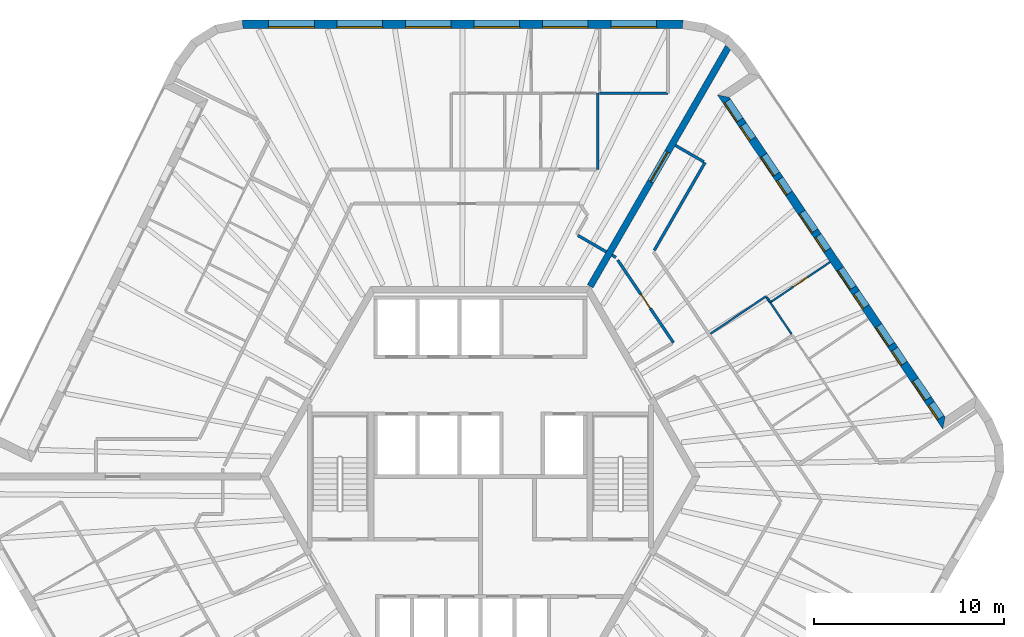
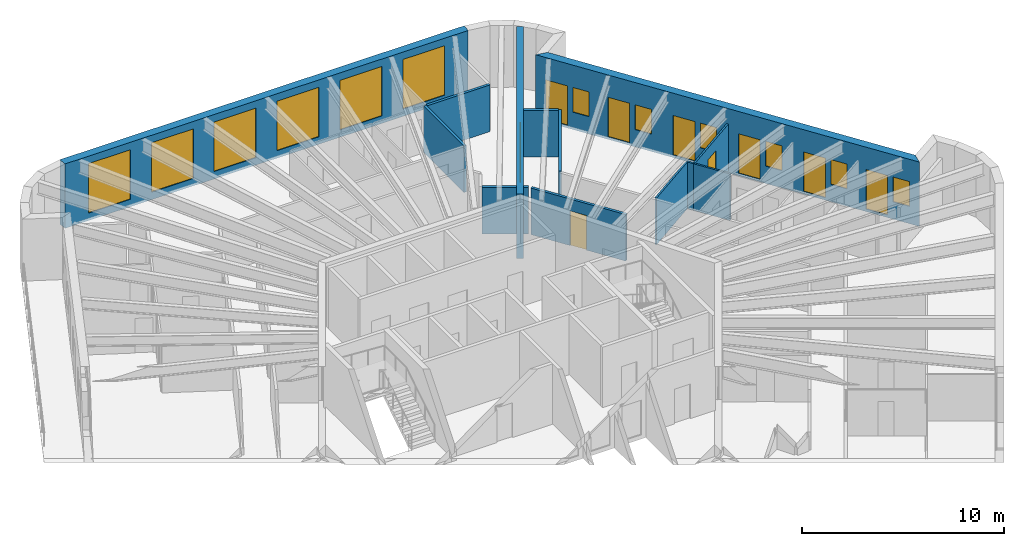
# One storey, part 9 of 11: 14 walls, 12 windows, 9 doors, 21 openings.
"""IFC4 building model written with IfcOpenShell, lengths in metres."""

from ifc_helpers import new_model, si_unit, direction, frame, frame_2d, origin, place, context, subcontext, project, spatial, polyline, rectangle, outline, extrude, material, layer, layer_set, type_object, element, fill, save


model = new_model("IFC4")

# Units and contexts
model_context = context("Model", 3, precision=1e-05, world=origin(), true_north=direction((0.0, 1.0)))
body_context = subcontext(model_context, "Body", "Model", "MODEL_VIEW")
ifc_project = project(units=[si_unit("LENGTHUNIT", "METRE"), si_unit("AREAUNIT", "SQUARE_METRE"), si_unit("VOLUMEUNIT", "CUBIC_METRE"), si_unit("PLANEANGLEUNIT", "RADIAN"), si_unit("MASSUNIT", "GRAM", prefix="KILO")], contexts=[model_context])

# Site, building, storey
site_placement = place(None, origin())
site = spatial("IfcSite", under=ifc_project, at=site_placement, CompositionType="ELEMENT")
building_placement = place(site_placement, origin())
building = spatial("IfcBuilding", under=site, at=building_placement, Name="Tarnside Tower", CompositionType="ELEMENT")
storey_placement = place(building_placement, frame((0.0, 0.0, 357.300048828125)))
storey = spatial("IfcBuildingStorey", under=building, at=storey_placement, Name="L86", CompositionType="ELEMENT", Elevation=357.300048828125)

# Walls
ifc_material_1 = material(Name="Gypsum board partition on steel studs", Category="steel")
ifc_layer_1 = layer(ifc_material_1, 0.10009765625)
ifc_layer_set_1 = layer_set([ifc_layer_1], Name="Bathroom wall 100")
wall_type_1 = type_object("IfcWallType", Name="Bathroom wall 100", PredefinedType="PARTITIONING", material=ifc_layer_set_1)
wall_1_placement = place(storey_placement, frame((12.09619140625, 7.50537109375, 0.0), z_axis=(0.0, 0.0, 1.0), x_axis=(0.829065408555, 0.559151632687, 0.0)))
element("IfcWall", 1, at=wall_1_placement, inside=storey, type_object=wall_type_1, Name="Bathroom wall 27120", PredefinedType="PARTITIONING", context=body_context, shape_type="SweptSolid", body=[
    extrude(rectangle(XDim=3.52490234375, YDim=0.10009765625, at=frame_2d((1.762451171875, 0.0))), origin(), (0.0, 0.0, 1.0), 2.820068359375),
])
wall_2_placement = place(storey_placement, frame((15.04638671875, 9.43505859375, 0.0), z_axis=(0.0, 0.0, 1.0), x_axis=(0.559141668278, -0.829072128826, 0.0)))
element("IfcWall", 2, at=wall_2_placement, inside=storey, type_object=wall_type_1, Name="Bathroom wall 27121", PredefinedType="PARTITIONING", context=body_context, shape_type="SweptSolid", body=[
    extrude(rectangle(XDim=0.341796875, YDim=0.10009765625, at=frame_2d((0.1708984375, 0.0))), origin(), (0.0, 0.0, 1.0), 2.820068359375),
])
wall_3_placement = place(storey_placement, frame((15.2353515625, 9.155029296875, 0.0), z_axis=(0.0, 0.0, 1.0), x_axis=(0.559199850123, -0.829032886937, 0.0)))
element("IfcWall", 3, at=wall_3_placement, inside=storey, type_object=wall_type_1, Name="Bathroom wall 27130", PredefinedType="PARTITIONING", context=body_context, shape_type="SweptSolid", body=[
    extrude(rectangle(XDim=2.01220703125, YDim=0.10009765625, at=frame_2d((1.006103515625, 0.0))), origin(), (0.0, 0.0, 1.0), 2.820068359375),
])

# Wall, opening, door
ifc_material_2 = material(Name="Concrete C50/60", Category="concrete")
ifc_layer_2 = layer(ifc_material_2, 0.35009765625)
ifc_layer_set_2 = layer_set([ifc_layer_2], Name="Core wall Z4 350 C50/60")
wall_type_2 = type_object("IfcWallType", Name="Core wall Z4 350 C50/60", PredefinedType="SHEAR", material=ifc_layer_set_2)
wall_4_placement = place(storey_placement, frame((5.7734375, 10.0, -0.150146484375), z_axis=(0.0, 0.0, 1.0), x_axis=(0.500007911273, 0.866020836161, 0.0)))
wall_4 = element("IfcWall", 4, at=wall_4_placement, inside=storey, type_object=wall_type_2, Name="L86 spine wall 1", PredefinedType="SHEAR", context=body_context, shape_type="SweptSolid", body=[
    extrude(rectangle(XDim=14.510498046875, YDim=0.35009765625, at=frame_2d((7.25537109375, 0.0))), origin(), (0.0, 0.0, 1.0), 3.900146484375),
])
opening_1_placement = place(wall_4_placement, frame((6.355224609375, 0.0, 0.14990234375)))
opening_1 = element("IfcOpeningElement", 5, at=opening_1_placement, cuts=wall_4, Name="Opening CD-SPN", PredefinedType="OPENING", context=body_context, shape_type="SweptSolid", body=[
    extrude(rectangle(XDim=1.800048828125, YDim=2.39990234375, at=frame_2d((0.89990234375, 1.199951171875))), frame((0.0, 0.18505859375, 0.0), z_axis=(0.0, -1.0, 0.0), x_axis=(1.0, 0.0, 0.0)), (0.0, 0.0, 1.0), 0.3701171875),
])
ifc_material_3 = material(Name="Steel fire door", Category="steel")
door_type_1 = type_object("IfcDoorType", Name="Spine passage double door FD60 1800x2400", OperationType="NOTDEFINED", PredefinedType="DOOR", material=ifc_material_3)
door_1_placement = place(opening_1_placement, origin())
door_1 = element("IfcDoor", 6, at=door_1_placement, inside=storey, type_object=door_type_1, Name="L86 spine passage door 1", OperationType="DOUBLE_DOOR_SINGLE_SWING", OverallHeight=2.39990234375, OverallWidth=1.800048828125, PredefinedType="DOOR", context=body_context, shape_type="SweptSolid", body=[
    extrude(rectangle(XDim=1.800048828125, YDim=2.39990234375, at=frame_2d((0.89990234375, 1.199951171875))), frame((0.0, 0.02490234375, 0.0), z_axis=(0.0, -1.0, 0.0), x_axis=(1.0, 0.0, 0.0)), (0.0, 0.0, 1.0), 0.050048828125),
])
fill(opening_1, door_1)

# Walls
ifc_layer_3 = layer(ifc_material_1, 0.14990234375)
ifc_layer_set_3 = layer_set([ifc_layer_3], Name="Corridor wall 150 EI 60")
wall_type_3 = type_object("IfcWallType", Name="Corridor wall 150 EI 60", PredefinedType="PARTITIONING", material=ifc_layer_set_3)
wall_5_placement = place(storey_placement, frame((6.174560546875, 20.14990234375, 0.0), z_axis=(0.0, 0.0, 1.0), x_axis=(0.0, -1.0, 0.0)))
element("IfcWall", 7, at=wall_5_placement, inside=storey, type_object=wall_type_3, Name="Corridor wall 27003", PredefinedType="PARTITIONING", context=body_context, shape_type="SweptSolid", body=[
    extrude(rectangle(XDim=4.0, YDim=0.14990234375, at=frame_2d((2.0, 0.0))), origin(), (0.0, 0.0, 1.0), 2.820068359375),
])
wall_6_placement = place(storey_placement, frame((9.8671875, 20.14990234375, 0.0), z_axis=(0.0, 0.0, 1.0), x_axis=(-1.0, 0.0, 0.0)))
element("IfcWall", 8, at=wall_6_placement, inside=storey, type_object=wall_type_3, Name="Corridor wall 27006", PredefinedType="PARTITIONING", context=body_context, shape_type="SweptSolid", body=[
    extrude(rectangle(XDim=3.598876953125, YDim=0.14990234375, at=frame_2d((1.79931640625, 0.0))), origin(), (0.0, 0.0, 1.0), 2.820068359375),
])
wall_7_placement = place(storey_placement, frame((5.124755859375, 12.676513671875, 0.0), z_axis=(0.0, 0.0, 1.0), x_axis=(0.866013532718, -0.500020560727, 0.0)))
element("IfcWall", 9, at=wall_7_placement, inside=storey, type_object=wall_type_3, Name="Corridor wall 27023", PredefinedType="PARTITIONING", context=body_context, shape_type="SweptSolid", body=[
    extrude(rectangle(XDim=1.72509765625, YDim=0.14990234375, at=frame_2d((0.862548828125, 0.0))), origin(), (0.0, 0.0, 1.0), 2.820068359375),
])
wall_8_placement = place(storey_placement, frame((9.14208984375, 11.884765625, 0.0), z_axis=(0.0, 0.0, 1.0), x_axis=(0.500004822225, 0.866022619654, 0.0)))
element("IfcWall", 10, at=wall_8_placement, inside=storey, type_object=wall_type_3, Name="Corridor wall 27053", PredefinedType="PARTITIONING", context=body_context, shape_type="SweptSolid", body=[
    extrude(rectangle(XDim=5.3388671875, YDim=0.14990234375, at=frame_2d((2.66943359375, 0.0))), origin(), (0.0, 0.0, 1.0), 2.820068359375),
])
wall_9_placement = place(storey_placement, frame((11.74658203125, 16.545654296875, 0.0), z_axis=(0.0, 0.0, 1.0), x_axis=(-0.866013532718, 0.500020560727, 0.0)))
element("IfcWall", 11, at=wall_9_placement, inside=storey, type_object=wall_type_3, Name="Corridor wall 27054", PredefinedType="PARTITIONING", context=body_context, shape_type="SweptSolid", body=[
    extrude(rectangle(XDim=1.72509765625, YDim=0.14990234375, at=frame_2d((0.862548828125, 0.0))), origin(), (0.0, 0.0, 1.0), 2.820068359375),
])
wall_10_placement = place(storey_placement, frame((6.921875, 11.638916015625, 0.0), z_axis=(0.0, 0.0, 1.0), x_axis=(0.866254745882, -0.499602557277, 0.0)))
element("IfcWall", 12, at=wall_10_placement, inside=storey, type_object=wall_type_3, Name="Corridor wall 27067", PredefinedType="PARTITIONING", context=body_context, shape_type="SweptSolid", body=[
    extrude(rectangle(XDim=0.235107421875, YDim=0.14990234375, at=frame_2d((0.11767578125, 0.0))), origin(), (0.0, 0.0, 1.0), 2.820068359375),
])

# Wall, opening, door
wall_11_placement = place(storey_placement, frame((7.22119140625, 11.379638671875, 0.0), z_axis=(0.0, 0.0, 1.0), x_axis=(0.559200548931, -0.829032415576, 0.0)))
wall_11 = element("IfcWall", 13, at=wall_11_placement, inside=storey, type_object=wall_type_3, Name="Corridor wall 27068", PredefinedType="PARTITIONING", context=body_context, shape_type="SweptSolid", body=[
    extrude(rectangle(XDim=5.236083984375, YDim=0.14990234375, at=frame_2d((2.6181640625, 0.0))), origin(), (0.0, 0.0, 1.0), 2.820068359375),
])
opening_2_placement = place(wall_11_placement, frame((2.16796875, 0.0, 0.0)))
opening_2 = element("IfcOpeningElement", 14, at=opening_2_placement, cuts=wall_11, Name="Opening D-S1", PredefinedType="OPENING", context=body_context, shape_type="SweptSolid", body=[
    extrude(rectangle(XDim=0.89990234375, YDim=2.10009765625, at=frame_2d((0.449951171875, 1.050048828125))), frame((0.0, 0.0849609375, 0.0), z_axis=(0.0, -1.0, 0.0), x_axis=(1.0, 0.0, 0.0)), (0.0, 0.0, 1.0), 0.169921875),
])
ifc_material_4 = material(Name="Timber door leaf", Category="wood")
door_type_2 = type_object("IfcDoorType", Name="Service room door 900 FD30S", OperationType="NOTDEFINED", PredefinedType="DOOR", material=ifc_material_4)
door_2_placement = place(opening_2_placement, origin())
door_2 = element("IfcDoor", 15, at=door_2_placement, inside=storey, type_object=door_type_2, Name="Service door 27065", OperationType="SINGLE_SWING_RIGHT", OverallHeight=2.10009765625, OverallWidth=0.89990234375, PredefinedType="DOOR", context=body_context, shape_type="SweptSolid", body=[
    extrude(rectangle(XDim=0.89990234375, YDim=2.10009765625, at=frame_2d((0.449951171875, 1.050048828125))), frame((0.0, 0.02490234375, 0.0), z_axis=(0.0, -1.0, 0.0), x_axis=(1.0, 0.0, 0.0)), (0.0, 0.0, 1.0), 0.050048828125),
])
fill(opening_2, door_2)

# Wall, openings, doors, windows
ifc_material_5 = material(Name="Dark zinc cladding")
ifc_layer_4 = layer(ifc_material_5, 0.10205078125)
ifc_material_6 = material(Name="Concrete C60/75 precast", Category="concrete")
ifc_layer_5 = layer(ifc_material_6, 0.248046875)
ifc_material_7 = material(Name="Mineral wool insulation")
ifc_layer_6 = layer(ifc_material_7, 0.10009765625)
ifc_layer_set_4 = layer_set([ifc_layer_4, ifc_layer_5, ifc_layer_6], Name="Loggia wall 450 zinc faced")
wall_type_4 = type_object("IfcWallType", Name="Loggia wall 450 zinc faced", PredefinedType="SOLIDWALL", material=ifc_layer_set_4)
wall_12_placement = place(storey_placement, frame((24.36962890625, 2.810546875, -0.150146484375), z_axis=(0.0, 0.0, 1.0), x_axis=(-0.559187034749, 0.829041531027, 0.0)))
wall_12 = element("IfcWall", 16, at=wall_12_placement, inside=storey, type_object=wall_type_4, Name="Tube wall L86 F6 back 30", PredefinedType="SOLIDWALL", context=body_context, shape_type="SweptSolid", body=[
    extrude(outline(polyline([(0.224853515625, -0.22509765625), (20.50634765625, -0.22509765625), (20.95654296875, 0.22509765625), (-0.224853515625, 0.22509765625), (0.224853515625, -0.22509765625)])), origin(), (0.0, 0.0, 1.0), 3.900146484375),
])
opening_3_placement = place(wall_12_placement, frame((0.324951171875, 0.0, 1.050048828125)))
opening_3 = element("IfcOpeningElement", 17, at=opening_3_placement, cuts=wall_12, Name="Opening WL450", PredefinedType="OPENING", context=body_context, shape_type="SweptSolid", body=[
    extrude(rectangle(XDim=0.89990234375, YDim=1.5, at=frame_2d((0.449951171875, 0.75))), frame((0.0, 0.23486328125, 0.0), z_axis=(0.0, -1.0, 0.0), x_axis=(1.0, 0.0, 0.0)), (0.0, 0.0, 1.0), 0.469970703125),
])
opening_4_placement = place(wall_12_placement, frame((1.52490234375, 0.0, 0.14990234375)))
opening_4 = element("IfcOpeningElement", 18, at=opening_4_placement, cuts=wall_12, Name="Opening DB450", PredefinedType="OPENING", context=body_context, shape_type="SweptSolid", body=[
    extrude(rectangle(XDim=1.199951171875, YDim=2.39990234375, at=frame_2d((0.60009765625, 1.199951171875))), frame((0.0, 0.23486328125, 0.0), z_axis=(0.0, -1.0, 0.0), x_axis=(1.0, 0.0, 0.0)), (0.0, 0.0, 1.0), 0.469970703125),
])
opening_5_placement = place(wall_12_placement, frame((3.765869140625, 0.0, 1.050048828125)))
opening_5 = element("IfcOpeningElement", 19, at=opening_5_placement, cuts=wall_12, Name="Opening WL450", PredefinedType="OPENING", context=body_context, shape_type="SweptSolid", body=[
    extrude(rectangle(XDim=0.89990234375, YDim=1.5, at=frame_2d((0.449951171875, 0.75))), frame((0.0, 0.23486328125, 0.0), z_axis=(0.0, -1.0, 0.0), x_axis=(1.0, 0.0, 0.0)), (0.0, 0.0, 1.0), 0.469970703125),
])
opening_6_placement = place(wall_12_placement, frame((4.9658203125, 0.0, 0.14990234375)))
opening_6 = element("IfcOpeningElement", 20, at=opening_6_placement, cuts=wall_12, Name="Opening DB450", PredefinedType="OPENING", context=body_context, shape_type="SweptSolid", body=[
    extrude(rectangle(XDim=1.199951171875, YDim=2.39990234375, at=frame_2d((0.60009765625, 1.199951171875))), frame((0.0, 0.23486328125, 0.0), z_axis=(0.0, -1.0, 0.0), x_axis=(1.0, 0.0, 0.0)), (0.0, 0.0, 1.0), 0.469970703125),
])
opening_7_placement = place(wall_12_placement, frame((7.36572265625, 0.0, 1.050048828125)))
opening_7 = element("IfcOpeningElement", 21, at=opening_7_placement, cuts=wall_12, Name="Opening WL450", PredefinedType="OPENING", context=body_context, shape_type="SweptSolid", body=[
    extrude(rectangle(XDim=0.89990234375, YDim=1.5, at=frame_2d((0.449951171875, 0.75))), frame((0.0, 0.23486328125, 0.0), z_axis=(0.0, -1.0, 0.0), x_axis=(1.0, 0.0, 0.0)), (0.0, 0.0, 1.0), 0.469970703125),
])
opening_8_placement = place(wall_12_placement, frame((8.56591796875, 0.0, 0.14990234375)))
opening_8 = element("IfcOpeningElement", 22, at=opening_8_placement, cuts=wall_12, Name="Opening DB450", PredefinedType="OPENING", context=body_context, shape_type="SweptSolid", body=[
    extrude(rectangle(XDim=1.199951171875, YDim=2.39990234375, at=frame_2d((0.60009765625, 1.199951171875))), frame((0.0, 0.23486328125, 0.0), z_axis=(0.0, -1.0, 0.0), x_axis=(1.0, 0.0, 0.0)), (0.0, 0.0, 1.0), 0.469970703125),
])
opening_9_placement = place(wall_12_placement, frame((10.9658203125, 0.0, 1.050048828125)))
opening_9 = element("IfcOpeningElement", 23, at=opening_9_placement, cuts=wall_12, Name="Opening WL450", PredefinedType="OPENING", context=body_context, shape_type="SweptSolid", body=[
    extrude(rectangle(XDim=0.89990234375, YDim=1.5, at=frame_2d((0.449951171875, 0.75))), frame((0.0, 0.23486328125, 0.0), z_axis=(0.0, -1.0, 0.0), x_axis=(1.0, 0.0, 0.0)), (0.0, 0.0, 1.0), 0.469970703125),
])
opening_10_placement = place(wall_12_placement, frame((12.165771484375, 0.0, 0.14990234375)))
opening_10 = element("IfcOpeningElement", 24, at=opening_10_placement, cuts=wall_12, Name="Opening DB450", PredefinedType="OPENING", context=body_context, shape_type="SweptSolid", body=[
    extrude(rectangle(XDim=1.199951171875, YDim=2.39990234375, at=frame_2d((0.60009765625, 1.199951171875))), frame((0.0, 0.23486328125, 0.0), z_axis=(0.0, -1.0, 0.0), x_axis=(1.0, 0.0, 0.0)), (0.0, 0.0, 1.0), 0.469970703125),
])
opening_11_placement = place(wall_12_placement, frame((14.56591796875, 0.0, 1.050048828125)))
opening_11 = element("IfcOpeningElement", 25, at=opening_11_placement, cuts=wall_12, Name="Opening WL450", PredefinedType="OPENING", context=body_context, shape_type="SweptSolid", body=[
    extrude(rectangle(XDim=0.89990234375, YDim=1.5, at=frame_2d((0.449951171875, 0.75))), frame((0.0, 0.23486328125, 0.0), z_axis=(0.0, -1.0, 0.0), x_axis=(1.0, 0.0, 0.0)), (0.0, 0.0, 1.0), 0.469970703125),
])
opening_12_placement = place(wall_12_placement, frame((15.765869140625, 0.0, 0.14990234375)))
opening_12 = element("IfcOpeningElement", 26, at=opening_12_placement, cuts=wall_12, Name="Opening DB450", PredefinedType="OPENING", context=body_context, shape_type="SweptSolid", body=[
    extrude(rectangle(XDim=1.199951171875, YDim=2.39990234375, at=frame_2d((0.60009765625, 1.199951171875))), frame((0.0, 0.23486328125, 0.0), z_axis=(0.0, -1.0, 0.0), x_axis=(1.0, 0.0, 0.0)), (0.0, 0.0, 1.0), 0.469970703125),
])
opening_13_placement = place(wall_12_placement, frame((18.006591796875, 0.0, 1.050048828125)))
opening_13 = element("IfcOpeningElement", 27, at=opening_13_placement, cuts=wall_12, Name="Opening WL450", PredefinedType="OPENING", context=body_context, shape_type="SweptSolid", body=[
    extrude(rectangle(XDim=0.89990234375, YDim=1.5, at=frame_2d((0.449951171875, 0.75))), frame((0.0, 0.23486328125, 0.0), z_axis=(0.0, -1.0, 0.0), x_axis=(1.0, 0.0, 0.0)), (0.0, 0.0, 1.0), 0.469970703125),
])
opening_14_placement = place(wall_12_placement, frame((19.20654296875, 0.0, 0.14990234375)))
opening_14 = element("IfcOpeningElement", 28, at=opening_14_placement, cuts=wall_12, Name="Opening DB450", PredefinedType="OPENING", context=body_context, shape_type="SweptSolid", body=[
    extrude(rectangle(XDim=1.199951171875, YDim=2.39990234375, at=frame_2d((0.60009765625, 1.199951171875))), frame((0.0, 0.23486328125, 0.0), z_axis=(0.0, -1.0, 0.0), x_axis=(1.0, 0.0, 0.0)), (0.0, 0.0, 1.0), 0.469970703125),
])
ifc_material_8 = material(Name="Aluminium-framed double glazing", Category="aluminium")
door_type_3 = type_object("IfcDoorType", Name="Balcony sliding door 1200 x 2400 in 450 wall", OperationType="SLIDING_TO_LEFT", PredefinedType="DOOR", material=ifc_material_8)
door_3_placement = place(opening_4_placement, frame((0.0, 0.150146484375, 0.0)))
door_3 = element("IfcDoor", 29, at=door_3_placement, inside=storey, type_object=door_type_3, Name="E.BD.L86.F6.00", OperationType="SLIDING_TO_LEFT", OverallHeight=2.39990234375, OverallWidth=1.199951171875, PredefinedType="DOOR", context=body_context, shape_type="SweptSolid", body=[
    extrude(rectangle(XDim=1.199951171875, YDim=2.39990234375, at=frame_2d((0.60009765625, 1.199951171875))), frame((0.0, 0.02490234375, 0.0), z_axis=(0.0, -1.0, 0.0), x_axis=(1.0, 0.0, 0.0)), (0.0, 0.0, 1.0), 0.050048828125),
])
fill(opening_4, door_3)
door_4_placement = place(opening_6_placement, frame((0.0, 0.150146484375, 0.0)))
door_4 = element("IfcDoor", 30, at=door_4_placement, inside=storey, type_object=door_type_3, Name="E.BD.L86.F6.01", OperationType="SLIDING_TO_LEFT", OverallHeight=2.39990234375, OverallWidth=1.199951171875, PredefinedType="DOOR", context=body_context, shape_type="SweptSolid", body=[
    extrude(rectangle(XDim=1.199951171875, YDim=2.39990234375, at=frame_2d((0.60009765625, 1.199951171875))), frame((0.0, 0.02490234375, 0.0), z_axis=(0.0, -1.0, 0.0), x_axis=(1.0, 0.0, 0.0)), (0.0, 0.0, 1.0), 0.050048828125),
])
fill(opening_6, door_4)
door_5_placement = place(opening_8_placement, frame((0.0, 0.150146484375, 0.0)))
door_5 = element("IfcDoor", 31, at=door_5_placement, inside=storey, type_object=door_type_3, Name="E.BD.L86.F6.02", OperationType="SLIDING_TO_LEFT", OverallHeight=2.39990234375, OverallWidth=1.199951171875, PredefinedType="DOOR", context=body_context, shape_type="SweptSolid", body=[
    extrude(rectangle(XDim=1.199951171875, YDim=2.39990234375, at=frame_2d((0.60009765625, 1.199951171875))), frame((0.0, 0.02490234375, 0.0), z_axis=(0.0, -1.0, 0.0), x_axis=(1.0, 0.0, 0.0)), (0.0, 0.0, 1.0), 0.050048828125),
])
fill(opening_8, door_5)
door_6_placement = place(opening_10_placement, frame((0.0, 0.150146484375, 0.0)))
door_6 = element("IfcDoor", 32, at=door_6_placement, inside=storey, type_object=door_type_3, Name="E.BD.L86.F6.03", OperationType="SLIDING_TO_LEFT", OverallHeight=2.39990234375, OverallWidth=1.199951171875, PredefinedType="DOOR", context=body_context, shape_type="SweptSolid", body=[
    extrude(rectangle(XDim=1.199951171875, YDim=2.39990234375, at=frame_2d((0.60009765625, 1.199951171875))), frame((0.0, 0.02490234375, 0.0), z_axis=(0.0, -1.0, 0.0), x_axis=(1.0, 0.0, 0.0)), (0.0, 0.0, 1.0), 0.050048828125),
])
fill(opening_10, door_6)
door_7_placement = place(opening_12_placement, frame((0.0, 0.150146484375, 0.0)))
door_7 = element("IfcDoor", 33, at=door_7_placement, inside=storey, type_object=door_type_3, Name="E.BD.L86.F6.04", OperationType="SLIDING_TO_LEFT", OverallHeight=2.39990234375, OverallWidth=1.199951171875, PredefinedType="DOOR", context=body_context, shape_type="SweptSolid", body=[
    extrude(rectangle(XDim=1.199951171875, YDim=2.39990234375, at=frame_2d((0.60009765625, 1.199951171875))), frame((0.0, 0.02490234375, 0.0), z_axis=(0.0, -1.0, 0.0), x_axis=(1.0, 0.0, 0.0)), (0.0, 0.0, 1.0), 0.050048828125),
])
fill(opening_12, door_7)
door_8_placement = place(opening_14_placement, frame((0.0, 0.150146484375, 0.0)))
door_8 = element("IfcDoor", 34, at=door_8_placement, inside=storey, type_object=door_type_3, Name="E.BD.L86.F6.05", OperationType="SLIDING_TO_LEFT", OverallHeight=2.39990234375, OverallWidth=1.199951171875, PredefinedType="DOOR", context=body_context, shape_type="SweptSolid", body=[
    extrude(rectangle(XDim=1.199951171875, YDim=2.39990234375, at=frame_2d((0.60009765625, 1.199951171875))), frame((0.0, 0.02490234375, 0.0), z_axis=(0.0, -1.0, 0.0), x_axis=(1.0, 0.0, 0.0)), (0.0, 0.0, 1.0), 0.050048828125),
])
fill(opening_14, door_8)
window_type_1 = type_object("IfcWindowType", Name="Loggia window 900 x 1500 in 450 wall", PartitioningType="SINGLE_PANEL", PredefinedType="WINDOW", material=ifc_material_8)
window_1_placement = place(opening_3_placement, frame((0.0, 0.1552734375, 0.0)))
window_1 = element("IfcWindow", 35, at=window_1_placement, inside=storey, type_object=window_type_1, Name="E.LW.L86.F6.00", OverallHeight=1.5, OverallWidth=0.89990234375, PartitioningType="SINGLE_PANEL", PredefinedType="WINDOW", context=body_context, shape_type="SweptSolid", body=[
    extrude(rectangle(XDim=0.89990234375, YDim=1.5, at=frame_2d((0.449951171875, 0.75))), frame((0.0, 0.030029296875, 0.0), z_axis=(0.0, -1.0, 0.0), x_axis=(1.0, 0.0, 0.0)), (0.0, 0.0, 1.0), 0.06005859375),
])
fill(opening_3, window_1)
window_2_placement = place(opening_5_placement, frame((0.0, 0.1552734375, 0.0)))
window_2 = element("IfcWindow", 36, at=window_2_placement, inside=storey, type_object=window_type_1, Name="E.LW.L86.F6.01", OverallHeight=1.5, OverallWidth=0.89990234375, PartitioningType="SINGLE_PANEL", PredefinedType="WINDOW", context=body_context, shape_type="SweptSolid", body=[
    extrude(rectangle(XDim=0.89990234375, YDim=1.5, at=frame_2d((0.449951171875, 0.75))), frame((0.0, 0.030029296875, 0.0), z_axis=(0.0, -1.0, 0.0), x_axis=(1.0, 0.0, 0.0)), (0.0, 0.0, 1.0), 0.06005859375),
])
fill(opening_5, window_2)
window_3_placement = place(opening_7_placement, frame((0.0, 0.1552734375, 0.0)))
window_3 = element("IfcWindow", 37, at=window_3_placement, inside=storey, type_object=window_type_1, Name="E.LW.L86.F6.02", OverallHeight=1.5, OverallWidth=0.89990234375, PartitioningType="SINGLE_PANEL", PredefinedType="WINDOW", context=body_context, shape_type="SweptSolid", body=[
    extrude(rectangle(XDim=0.89990234375, YDim=1.5, at=frame_2d((0.449951171875, 0.75))), frame((0.0, 0.030029296875, 0.0), z_axis=(0.0, -1.0, 0.0), x_axis=(1.0, 0.0, 0.0)), (0.0, 0.0, 1.0), 0.06005859375),
])
fill(opening_7, window_3)
window_4_placement = place(opening_9_placement, frame((0.0, 0.1552734375, 0.0)))
window_4 = element("IfcWindow", 38, at=window_4_placement, inside=storey, type_object=window_type_1, Name="E.LW.L86.F6.03", OverallHeight=1.5, OverallWidth=0.89990234375, PartitioningType="SINGLE_PANEL", PredefinedType="WINDOW", context=body_context, shape_type="SweptSolid", body=[
    extrude(rectangle(XDim=0.89990234375, YDim=1.5, at=frame_2d((0.449951171875, 0.75))), frame((0.0, 0.030029296875, 0.0), z_axis=(0.0, -1.0, 0.0), x_axis=(1.0, 0.0, 0.0)), (0.0, 0.0, 1.0), 0.06005859375),
])
fill(opening_9, window_4)
window_5_placement = place(opening_11_placement, frame((0.0, 0.1552734375, 0.0)))
window_5 = element("IfcWindow", 39, at=window_5_placement, inside=storey, type_object=window_type_1, Name="E.LW.L86.F6.04", OverallHeight=1.5, OverallWidth=0.89990234375, PartitioningType="SINGLE_PANEL", PredefinedType="WINDOW", context=body_context, shape_type="SweptSolid", body=[
    extrude(rectangle(XDim=0.89990234375, YDim=1.5, at=frame_2d((0.449951171875, 0.75))), frame((0.0, 0.030029296875, 0.0), z_axis=(0.0, -1.0, 0.0), x_axis=(1.0, 0.0, 0.0)), (0.0, 0.0, 1.0), 0.06005859375),
])
fill(opening_11, window_5)
window_6_placement = place(opening_13_placement, frame((0.0, 0.1552734375, 0.0)))
window_6 = element("IfcWindow", 40, at=window_6_placement, inside=storey, type_object=window_type_1, Name="E.LW.L86.F6.05", OverallHeight=1.5, OverallWidth=0.89990234375, PartitioningType="SINGLE_PANEL", PredefinedType="WINDOW", context=body_context, shape_type="SweptSolid", body=[
    extrude(rectangle(XDim=0.89990234375, YDim=1.5, at=frame_2d((0.449951171875, 0.75))), frame((0.0, 0.030029296875, 0.0), z_axis=(0.0, -1.0, 0.0), x_axis=(1.0, 0.0, 0.0)), (0.0, 0.0, 1.0), 0.06005859375),
])
fill(opening_13, window_6)

# Wall, opening, door
ifc_layer_7 = layer(ifc_material_1, 0.10009765625)
ifc_layer_set_5 = layer_set([ifc_layer_7], Name="Partition 100")
wall_type_5 = type_object("IfcWallType", Name="Partition 100", PredefinedType="PARTITIONING", material=ifc_layer_set_5)
wall_13_placement = place(storey_placement, frame((15.27783203125, 9.181396484375, 0.0), z_axis=(0.0, 0.0, 1.0), x_axis=(0.829043350963, 0.559184336534, 0.0)))
wall_13 = element("IfcWall", 41, at=wall_13_placement, inside=storey, type_object=wall_type_5, Name="Partition wall 27119", PredefinedType="PARTITIONING", context=body_context, shape_type="SweptSolid", body=[
    extrude(rectangle(XDim=3.75, YDim=0.10009765625, at=frame_2d((1.875, 0.0))), origin(), (0.0, 0.0, 1.0), 2.820068359375),
])
opening_15_placement = place(wall_13_placement, frame((1.425048828125, 0.0, 0.0)))
opening_15 = element("IfcOpeningElement", 42, at=opening_15_placement, cuts=wall_13, Name="Opening D-I1", PredefinedType="OPENING", context=body_context, shape_type="SweptSolid", body=[
    extrude(rectangle(XDim=0.89990234375, YDim=2.10009765625, at=frame_2d((0.449951171875, 1.050048828125))), frame((0.0, 0.06005859375, 0.0), z_axis=(0.0, -1.0, 0.0), x_axis=(1.0, 0.0, 0.0)), (0.0, 0.0, 1.0), 0.1201171875),
])
door_type_4 = type_object("IfcDoorType", Name="Internal door 900", OperationType="NOTDEFINED", PredefinedType="DOOR", material=ifc_material_4)
door_9_placement = place(opening_15_placement, origin())
door_9 = element("IfcDoor", 43, at=door_9_placement, inside=storey, type_object=door_type_4, Name="Internal door 27059", OperationType="SINGLE_SWING_RIGHT", OverallHeight=2.10009765625, OverallWidth=0.89990234375, PredefinedType="DOOR", context=body_context, shape_type="SweptSolid", body=[
    extrude(rectangle(XDim=0.89990234375, YDim=2.10009765625, at=frame_2d((0.449951171875, 1.050048828125))), frame((0.0, 0.02490234375, 0.0), z_axis=(0.0, -1.0, 0.0), x_axis=(1.0, 0.0, 0.0)), (0.0, 0.0, 1.0), 0.050048828125),
])
fill(opening_15, door_9)

# Wall, openings, windows
ifc_material_9 = material(Name="Facing brick", Category="masonry")
ifc_layer_8 = layer(ifc_material_9, 0.10205078125)
ifc_layer_9 = layer(ifc_material_6, 0.248046875)
ifc_layer_10 = layer(ifc_material_7, 0.10009765625)
ifc_layer_set_6 = layer_set([ifc_layer_8, ifc_layer_9, ifc_layer_10], Name="Tube wall 450 brick faced")
wall_type_6 = type_object("IfcWallType", Name="Tube wall 450 brick faced", PredefinedType="SOLIDWALL", material=ifc_layer_set_6)
wall_14_placement = place(storey_placement, frame((10.63427734375, 23.77490234375, -0.150146484375), z_axis=(0.0, 0.0, 1.0), x_axis=(-1.0, 0.0, 0.0)))
wall_14 = element("IfcWall", 44, at=wall_14_placement, inside=storey, type_object=wall_type_6, Name="Tube wall L86 F1 flush 00", PredefinedType="SOLIDWALL", context=body_context, shape_type="SweptSolid", body=[
    extrude(outline(polyline([(-0.018310546875, -0.22509765625), (23.152587890625, -0.22509765625), (23.110595703125, 0.22509765625), (0.018310546875, 0.22509765625), (-0.018310546875, -0.22509765625)])), origin(), (0.0, 0.0, 1.0), 3.900146484375),
])
opening_16_placement = place(wall_14_placement, frame((1.36572265625, 0.0, 0.449951171875)))
opening_16 = element("IfcOpeningElement", 45, at=opening_16_placement, cuts=wall_14, Name="Opening WP", PredefinedType="OPENING", context=body_context, shape_type="SweptSolid", body=[
    extrude(rectangle(XDim=2.39990234375, YDim=3.0, at=frame_2d((1.199951171875, 1.5))), frame((0.0, 0.23486328125, 0.0), z_axis=(0.0, -1.0, 0.0), x_axis=(1.0, 0.0, 0.0)), (0.0, 0.0, 1.0), 0.469970703125),
])
opening_17_placement = place(wall_14_placement, frame((4.9658203125, 0.0, 0.449951171875)))
opening_17 = element("IfcOpeningElement", 46, at=opening_17_placement, cuts=wall_14, Name="Opening WP", PredefinedType="OPENING", context=body_context, shape_type="SweptSolid", body=[
    extrude(rectangle(XDim=2.39990234375, YDim=3.0, at=frame_2d((1.199951171875, 1.5))), frame((0.0, 0.23486328125, 0.0), z_axis=(0.0, -1.0, 0.0), x_axis=(1.0, 0.0, 0.0)), (0.0, 0.0, 1.0), 0.469970703125),
])
opening_18_placement = place(wall_14_placement, frame((8.56591796875, 0.0, 0.449951171875)))
opening_18 = element("IfcOpeningElement", 47, at=opening_18_placement, cuts=wall_14, Name="Opening WP", PredefinedType="OPENING", context=body_context, shape_type="SweptSolid", body=[
    extrude(rectangle(XDim=2.39990234375, YDim=3.0, at=frame_2d((1.199951171875, 1.5))), frame((0.0, 0.23486328125, 0.0), z_axis=(0.0, -1.0, 0.0), x_axis=(1.0, 0.0, 0.0)), (0.0, 0.0, 1.0), 0.469970703125),
])
opening_19_placement = place(wall_14_placement, frame((12.165771484375, 0.0, 0.449951171875)))
opening_19 = element("IfcOpeningElement", 48, at=opening_19_placement, cuts=wall_14, Name="Opening WP", PredefinedType="OPENING", context=body_context, shape_type="SweptSolid", body=[
    extrude(rectangle(XDim=2.39990234375, YDim=3.0, at=frame_2d((1.199951171875, 1.5))), frame((0.0, 0.23486328125, 0.0), z_axis=(0.0, -1.0, 0.0), x_axis=(1.0, 0.0, 0.0)), (0.0, 0.0, 1.0), 0.469970703125),
])
opening_20_placement = place(wall_14_placement, frame((15.765869140625, 0.0, 0.449951171875)))
opening_20 = element("IfcOpeningElement", 49, at=opening_20_placement, cuts=wall_14, Name="Opening WP", PredefinedType="OPENING", context=body_context, shape_type="SweptSolid", body=[
    extrude(rectangle(XDim=2.39990234375, YDim=3.0, at=frame_2d((1.199951171875, 1.5))), frame((0.0, 0.23486328125, 0.0), z_axis=(0.0, -1.0, 0.0), x_axis=(1.0, 0.0, 0.0)), (0.0, 0.0, 1.0), 0.469970703125),
])
opening_21_placement = place(wall_14_placement, frame((19.36572265625, 0.0, 0.449951171875)))
opening_21 = element("IfcOpeningElement", 50, at=opening_21_placement, cuts=wall_14, Name="Opening WP", PredefinedType="OPENING", context=body_context, shape_type="SweptSolid", body=[
    extrude(rectangle(XDim=2.39990234375, YDim=3.0, at=frame_2d((1.199951171875, 1.5))), frame((0.0, 0.23486328125, 0.0), z_axis=(0.0, -1.0, 0.0), x_axis=(1.0, 0.0, 0.0)), (0.0, 0.0, 1.0), 0.469970703125),
])
window_type_2 = type_object("IfcWindowType", Name="Penthouse window 2400 x 3000", PartitioningType="DOUBLE_PANEL_VERTICAL", PredefinedType="WINDOW", material=ifc_material_8)
window_7_placement = place(opening_16_placement, frame((0.0, 0.1552734375, 0.0)))
window_7 = element("IfcWindow", 51, at=window_7_placement, inside=storey, type_object=window_type_2, Name="E.WN.L86.F1.00", OverallHeight=3.0, OverallWidth=2.39990234375, PartitioningType="DOUBLE_PANEL_VERTICAL", PredefinedType="WINDOW", context=body_context, shape_type="SweptSolid", body=[
    extrude(rectangle(XDim=2.39990234375, YDim=3.0, at=frame_2d((1.199951171875, 1.5))), frame((0.0, 0.030029296875, 0.0), z_axis=(0.0, -1.0, 0.0), x_axis=(1.0, 0.0, 0.0)), (0.0, 0.0, 1.0), 0.06005859375),
])
fill(opening_16, window_7)
window_8_placement = place(opening_17_placement, frame((0.0, 0.1552734375, 0.0)))
window_8 = element("IfcWindow", 52, at=window_8_placement, inside=storey, type_object=window_type_2, Name="E.WN.L86.F1.01", OverallHeight=3.0, OverallWidth=2.39990234375, PartitioningType="DOUBLE_PANEL_VERTICAL", PredefinedType="WINDOW", context=body_context, shape_type="SweptSolid", body=[
    extrude(rectangle(XDim=2.39990234375, YDim=3.0, at=frame_2d((1.199951171875, 1.5))), frame((0.0, 0.030029296875, 0.0), z_axis=(0.0, -1.0, 0.0), x_axis=(1.0, 0.0, 0.0)), (0.0, 0.0, 1.0), 0.06005859375),
])
fill(opening_17, window_8)
window_9_placement = place(opening_18_placement, frame((0.0, 0.1552734375, 0.0)))
window_9 = element("IfcWindow", 53, at=window_9_placement, inside=storey, type_object=window_type_2, Name="E.WN.L86.F1.02", OverallHeight=3.0, OverallWidth=2.39990234375, PartitioningType="DOUBLE_PANEL_VERTICAL", PredefinedType="WINDOW", context=body_context, shape_type="SweptSolid", body=[
    extrude(rectangle(XDim=2.39990234375, YDim=3.0, at=frame_2d((1.199951171875, 1.5))), frame((0.0, 0.030029296875, 0.0), z_axis=(0.0, -1.0, 0.0), x_axis=(1.0, 0.0, 0.0)), (0.0, 0.0, 1.0), 0.06005859375),
])
fill(opening_18, window_9)
window_10_placement = place(opening_19_placement, frame((0.0, 0.1552734375, 0.0)))
window_10 = element("IfcWindow", 54, at=window_10_placement, inside=storey, type_object=window_type_2, Name="E.WN.L86.F1.03", OverallHeight=3.0, OverallWidth=2.39990234375, PartitioningType="DOUBLE_PANEL_VERTICAL", PredefinedType="WINDOW", context=body_context, shape_type="SweptSolid", body=[
    extrude(rectangle(XDim=2.39990234375, YDim=3.0, at=frame_2d((1.199951171875, 1.5))), frame((0.0, 0.030029296875, 0.0), z_axis=(0.0, -1.0, 0.0), x_axis=(1.0, 0.0, 0.0)), (0.0, 0.0, 1.0), 0.06005859375),
])
fill(opening_19, window_10)
window_11_placement = place(opening_20_placement, frame((0.0, 0.1552734375, 0.0)))
window_11 = element("IfcWindow", 55, at=window_11_placement, inside=storey, type_object=window_type_2, Name="E.WN.L86.F1.04", OverallHeight=3.0, OverallWidth=2.39990234375, PartitioningType="DOUBLE_PANEL_VERTICAL", PredefinedType="WINDOW", context=body_context, shape_type="SweptSolid", body=[
    extrude(rectangle(XDim=2.39990234375, YDim=3.0, at=frame_2d((1.199951171875, 1.5))), frame((0.0, 0.030029296875, 0.0), z_axis=(0.0, -1.0, 0.0), x_axis=(1.0, 0.0, 0.0)), (0.0, 0.0, 1.0), 0.06005859375),
])
fill(opening_20, window_11)
window_12_placement = place(opening_21_placement, frame((0.0, 0.1552734375, 0.0)))
window_12 = element("IfcWindow", 56, at=window_12_placement, inside=storey, type_object=window_type_2, Name="E.WN.L86.F1.05", OverallHeight=3.0, OverallWidth=2.39990234375, PartitioningType="DOUBLE_PANEL_VERTICAL", PredefinedType="WINDOW", context=body_context, shape_type="SweptSolid", body=[
    extrude(rectangle(XDim=2.39990234375, YDim=3.0, at=frame_2d((1.199951171875, 1.5))), frame((0.0, 0.030029296875, 0.0), z_axis=(0.0, -1.0, 0.0), x_axis=(1.0, 0.0, 0.0)), (0.0, 0.0, 1.0), 0.06005859375),
])
fill(opening_21, window_12)

save(model, "model.ifc")
